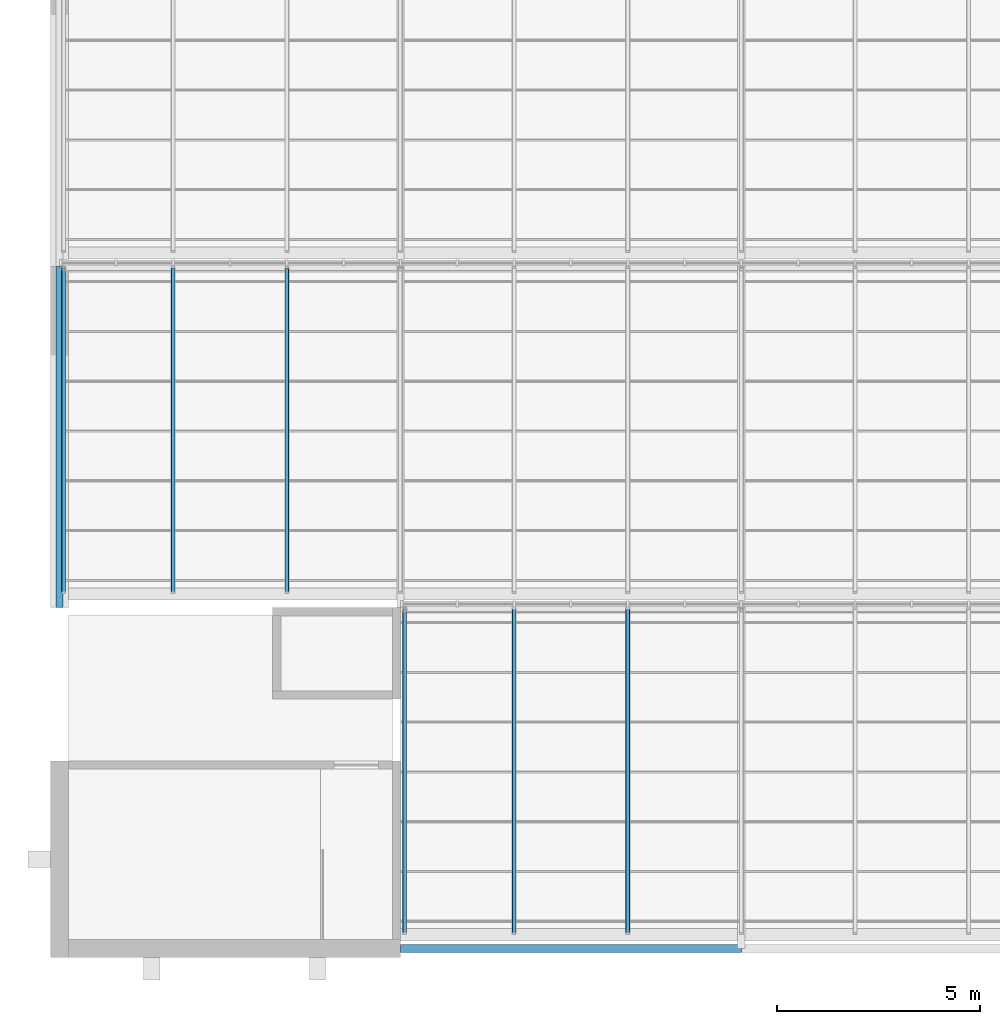
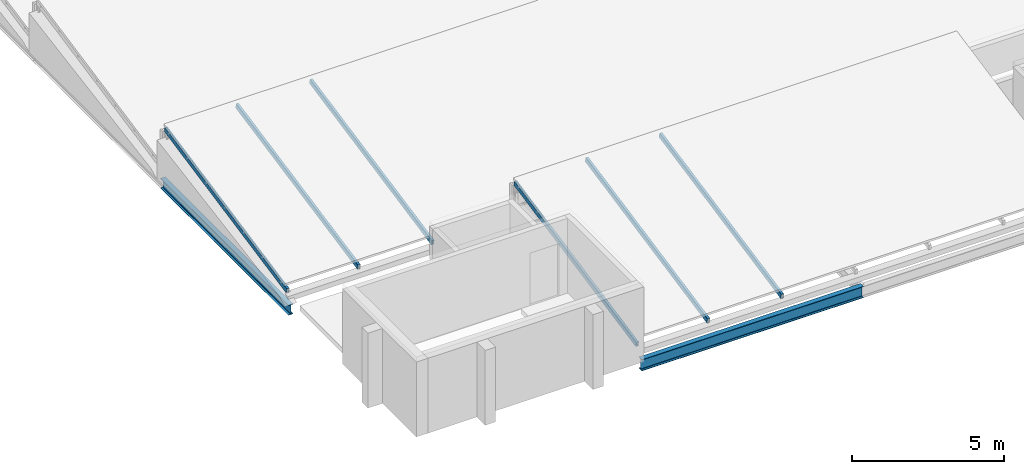
# One storey, part 7 of 121: 6 members, 2 beams.
"""IFC4 building model written with IfcOpenShell, lengths in metres."""

from ifc_helpers import new_model, si_unit, direction, frame, origin, origin_2d, place, context, subcontext, project, spatial, hollow_rectangle, i_section, extrude, material, material_profile, profile_set, type_object, element, save


model = new_model("IFC4")

# Units and contexts
model_context = context("Model", 3, precision=1e-05, world=origin(), true_north=direction((0.0, 1.0)))
body_context = subcontext(model_context, "Body", "Model", "MODEL_VIEW")
ifc_project = project(units=[si_unit("LENGTHUNIT", "METRE"), si_unit("AREAUNIT", "SQUARE_METRE"), si_unit("VOLUMEUNIT", "CUBIC_METRE"), si_unit("PLANEANGLEUNIT", "RADIAN"), si_unit("MASSUNIT", "GRAM", prefix="KILO")], contexts=[model_context])

# Site, building, storey
site_placement = place(None, origin())
site = spatial("IfcSite", under=ifc_project, at=site_placement, CompositionType="ELEMENT")
building_placement = place(site_placement, origin())
building = spatial("IfcBuilding", under=site, at=building_placement, Name="Ardhachandra Cancer Care Centre", CompositionType="ELEMENT")
storey_placement = place(building_placement, frame((0.0, 0.0, 9.0)))
storey = spatial("IfcBuildingStorey", under=building, at=storey_placement, Name="L02", CompositionType="ELEMENT", Elevation=9.0)

# Beams
ifc_material_1 = material(Name="Steel E350 (IS 2062)", Category="steel")
ifc_material_profile_1 = material_profile(ifc_material_1, i_section(OverallWidth=0.179931640625, OverallDepth=0.39990234375, WebThickness=0.008544921875, FlangeThickness=0.013427734375, FilletRadius=0.02099609375, at=origin_2d()), Name="NPB 400x180x66.30")
ifc_profile_set_1 = profile_set([ifc_material_profile_1], Name="Steel E350 (IS 2062)")
beam_type_1 = type_object("IfcBeamType", Name="Beam NPB 400x180x66.30", PredefinedType="BEAM", material=ifc_profile_set_1)
beam_1_placement = place(storey_placement, frame((10.800048828125, 37.800048828125, -0.199951171875), z_axis=(0.0, 1.0, 0.0), x_axis=(-1.0, 0.0, 0.0)))
element("IfcBeam", 1, at=beam_1_placement, inside=storey, type_object=beam_type_1, Name="Roof girder D1-E1", PredefinedType="BEAM", context=body_context, shape_type="SweptSolid", body=[
    extrude(i_section(OverallWidth=0.179931640625, OverallDepth=0.39990234375, WebThickness=0.008544921875, FlangeThickness=0.013427734375, FilletRadius=0.02099609375, at=origin_2d()), origin(), (0.0, 0.0, 1.0), 8.39990234375),
])
ifc_material_2 = material(Name="Steel E350 (IS 2062)", Category="steel")
ifc_material_profile_2 = material_profile(ifc_material_2, i_section(OverallWidth=0.19189453125, OverallDepth=0.4560546875, WebThickness=0.010986328125, FlangeThickness=0.017578125, FilletRadius=0.02099609375, at=origin_2d()), Name="NPB 450x190x92.36")
ifc_profile_set_2 = profile_set([ifc_material_profile_2], Name="Steel E350 (IS 2062)")
beam_type_2 = type_object("IfcBeamType", Name="Beam NPB 450x190x92.36", PredefinedType="BEAM", material=ifc_profile_set_2)
beam_2_placement = place(storey_placement, frame((19.199951171875, 29.39990234375, -0.22802734375), z_axis=(1.0, 0.0, 0.0), x_axis=(0.0, 1.0, 0.0)))
element("IfcBeam", 2, at=beam_2_placement, inside=storey, type_object=beam_type_2, Name="Roof girder C2-C3", PredefinedType="BEAM", context=body_context, shape_type="SweptSolid", body=[
    extrude(i_section(OverallWidth=0.19189453125, OverallDepth=0.4560546875, WebThickness=0.010986328125, FlangeThickness=0.017578125, FilletRadius=0.02099609375, at=origin_2d()), origin(), (0.0, 0.0, 1.0), 8.400146484375),
])

# Members
ifc_material_3 = material(Name="Steel E350 (IS 2062)", Category="steel")
ifc_material_profile_3 = material_profile(ifc_material_3, hollow_rectangle(XDim=0.10009765625, YDim=0.199951171875, WallThickness=0.006103515625, InnerFilletRadius=0.006103515625, OuterFilletRadius=0.011962890625, at=origin_2d()), Name="RHS 200x100x6.0")
ifc_profile_set_3 = profile_set([ifc_material_profile_3], Name="Steel E350 (IS 2062)")
member_type = type_object("IfcMemberType", Name="Roof rafter RHS 200x100x6.0", PredefinedType="RAFTER", material=ifc_profile_set_3)
for number, where, z_axis, x_axis, name in (
    (3, (19.300048828125, 29.7802734375, 0.298095703125), (0.0, 0.980109665583, 0.198456653782), (-1.0, 0.0, 0.0), "Rafter T1a.1"),
    (4, (22.0, 29.7802734375, 0.298095703125), (0.0, 0.980109665583, 0.198456653782), (-1.0, 0.0, 0.0), "Rafter T1a.2"),
    (5, (24.800048828125, 29.7802734375, 0.298095703125), (0.0, 0.980109665583, 0.198456653782), (-1.0, 0.0, 0.0), "Rafter T1a.3"),
    (6, (10.89990234375, 38.18017578125, 0.298095703125), (0.0, 0.980109665583, 0.198456653782), (-1.0, 0.0, 0.0), "Rafter T2a.1"),
    (7, (13.60009765625, 38.18017578125, 0.298095703125), (0.0, 0.980109665583, 0.198456653782), (-1.0, 0.0, 0.0), "Rafter T2a.2"),
    (8, (16.39990234375, 38.18017578125, 0.298095703125), (0.0, 0.980109665583, 0.198456653782), (-1.0, 0.0, 0.0), "Rafter T2a.3"),
):
    element("IfcMember", number, at=place(storey_placement, frame(where, z_axis=z_axis, x_axis=x_axis)), inside=storey, type_object=member_type, Name=name, PredefinedType="RAFTER", context=body_context, shape_type="SweptSolid", body=[
        extrude(hollow_rectangle(XDim=0.10009765625, YDim=0.199951171875, WallThickness=0.006103515625, InnerFilletRadius=0.006103515625, OuterFilletRadius=0.011962890625, at=origin_2d()), origin(), (0.0, 0.0, 1.0), 8.162353515625),
    ])

save(model, "model.ifc")
